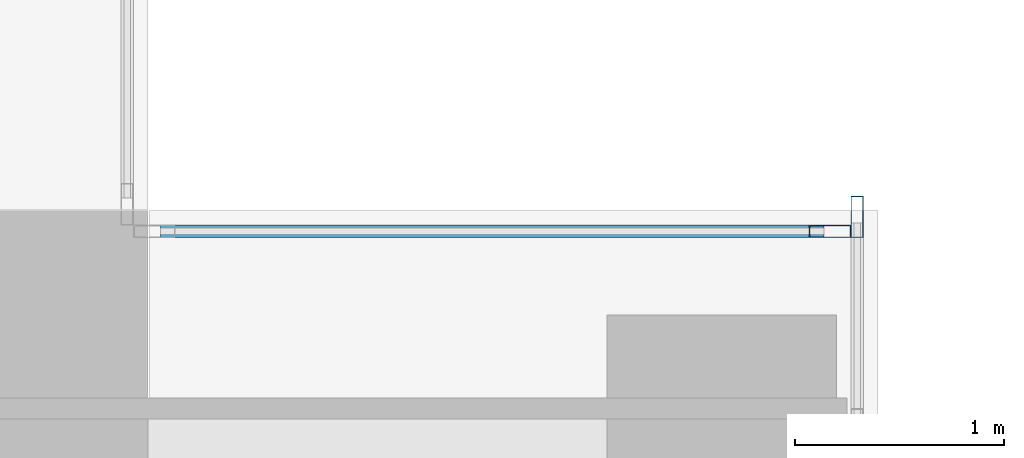
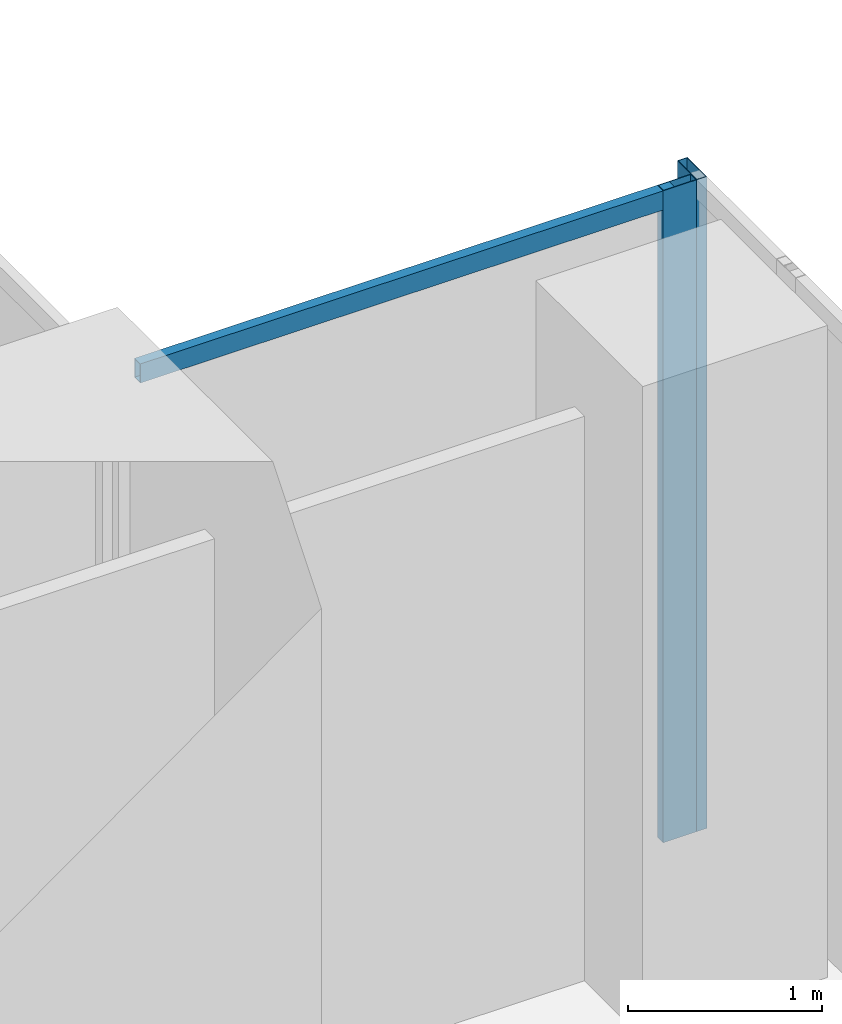
# One storey, part 21 of 34: 3 members, 2 elements without a shape of their own.
"""IFC4 building model written with IfcOpenShell, lengths in metres."""

from ifc_helpers import new_model, si_unit, direction, frame, origin, origin_2d, place, context, subcontext, project, spatial, hollow_rectangle, extrude, source, transform, mapped, material, material_profile, profile_set, type_object, element, aggregate, save


model = new_model("IFC4")

# Units and contexts
model_context = context("Model", 3, precision=1e-05, world=origin(), true_north=direction((0.0, 1.0)))
body_context = subcontext(model_context, "Body", "Model", "MODEL_VIEW")
ifc_project = project(units=[si_unit("LENGTHUNIT", "METRE"), si_unit("AREAUNIT", "SQUARE_METRE"), si_unit("VOLUMEUNIT", "CUBIC_METRE"), si_unit("PLANEANGLEUNIT", "RADIAN"), si_unit("MASSUNIT", "GRAM", prefix="KILO")], contexts=[model_context])

# Site, building, storey
site_placement = place(None, origin())
site = spatial("IfcSite", under=ifc_project, at=site_placement, CompositionType="ELEMENT")
building_placement = place(site_placement, origin())
building = spatial("IfcBuilding", under=site, at=building_placement, Name="Khomas Fold Tower", CompositionType="ELEMENT")
storey_placement = place(building_placement, frame((0.0, 0.0, 145.5)))
storey = spatial("IfcBuildingStorey", under=building, at=storey_placement, Name="L31", CompositionType="ELEMENT", Elevation=145.5)

# Curtain wall, member
ifc_material_1 = material(Name="Aluminium framed double glazing", Category="aluminium")
curtain_wall_type = type_object("IfcCurtainWallType", Name="SK-Unitised clear-glass wall, growing floors CW1", PredefinedType="NOTDEFINED", material=ifc_material_1)
curtain_wall_1_placement = place(storey_placement, origin())
curtain_wall_1 = element("IfcCurtainWall", 1, at=curtain_wall_1_placement, inside=storey, type_object=curtain_wall_type, Name="CW1 run L31 03-1", PredefinedType="NOTDEFINED")
ifc_material_2 = material(Name="Aluminium", Category="aluminium")
ifc_material_profile_1 = material_profile(ifc_material_2, hollow_rectangle(XDim=0.06005859375, YDim=0.199951171875, WallThickness=0.00390625, at=origin_2d()), Name="SK-Unitised clear-glass wall, growing floors mullion CW1-M")
ifc_profile_set_1 = profile_set([ifc_material_profile_1], Name="Aluminium")
member_type_1 = type_object("IfcMemberType", Name="SK-Unitised clear-glass wall, growing floors mullion CW1-M", PredefinedType="MULLION", material=ifc_profile_set_1)
shared_shape_1 = source(origin(), body_context, "Body", "SweptSolid", [
    extrude(hollow_rectangle(XDim=0.06005859375, YDim=0.199951171875, WallThickness=0.00390625, at=origin_2d()), origin(), (0.0, 0.0, 1.0), 4.10009765625),
])
member_1_placement = place(storey_placement, frame((52.39990234375, 48.969970703125, 0.0), z_axis=(0.0, 0.0, 1.0), x_axis=(-1.0, 0.0, 0.0)))
member_1 = element("IfcMember", 2, at=member_1_placement, type_object=member_type_1, Name="CW1 mullion 6", PredefinedType="MULLION", context=body_context, shape_type="MappedRepresentation", body=[
    mapped(shared_shape_1, transform((0.0, 0.0, 0.0))),
])
aggregate(curtain_wall_1, [member_1])

# Curtain wall, members
curtain_wall_2_placement = place(storey_placement, origin())
curtain_wall_2 = element("IfcCurtainWall", 3, at=curtain_wall_2_placement, inside=storey, type_object=curtain_wall_type, Name="CW1 corner return L31 04", PredefinedType="NOTDEFINED")
member_2_placement = place(storey_placement, frame((52.27001953125, 48.89990234375, 0.0), z_axis=(0.0, 0.0, 1.0), x_axis=(0.0, -1.0, 0.0)))
member_2 = element("IfcMember", 4, at=member_2_placement, type_object=member_type_1, Name="CW1 mullion 1", PredefinedType="MULLION", context=body_context, shape_type="MappedRepresentation", body=[
    mapped(shared_shape_1, transform((0.0, 0.0, 0.0))),
])
ifc_material_3 = material(Name="Aluminium", Category="aluminium")
ifc_material_profile_2 = material_profile(ifc_material_3, hollow_rectangle(XDim=0.06005859375, YDim=0.1201171875, WallThickness=0.00390625, at=origin_2d()), Name="SK-Unitised clear-glass wall, growing floors transom CW1-T")
ifc_profile_set_2 = profile_set([ifc_material_profile_2], Name="Aluminium")
member_type_2 = type_object("IfcMemberType", Name="SK-Unitised clear-glass wall, growing floors transom CW1-T", PredefinedType="USERDEFINED", material=ifc_profile_set_2)
shared_shape_2 = source(origin(), body_context, "Body", "SweptSolid", [
    extrude(hollow_rectangle(XDim=0.06005859375, YDim=0.1201171875, WallThickness=0.00390625, at=origin_2d()), origin(), (0.0, 0.0, 1.0), 3.179931640625),
])
member_3_placement = place(storey_placement, frame((52.239990234375, 48.89990234375, 4.0400390625), z_axis=(-1.0, 0.0, 0.0), x_axis=(0.0, -1.0, 0.0)))
member_3 = element("IfcMember", 5, at=member_3_placement, type_object=member_type_2, Name="CW1 transom 1", ObjectType="TRANSOM", PredefinedType="USERDEFINED", context=body_context, shape_type="MappedRepresentation", body=[
    mapped(shared_shape_2, transform((0.0, 0.0, 0.0))),
])
aggregate(curtain_wall_2, [member_2, member_3])

save(model, "model.ifc")
